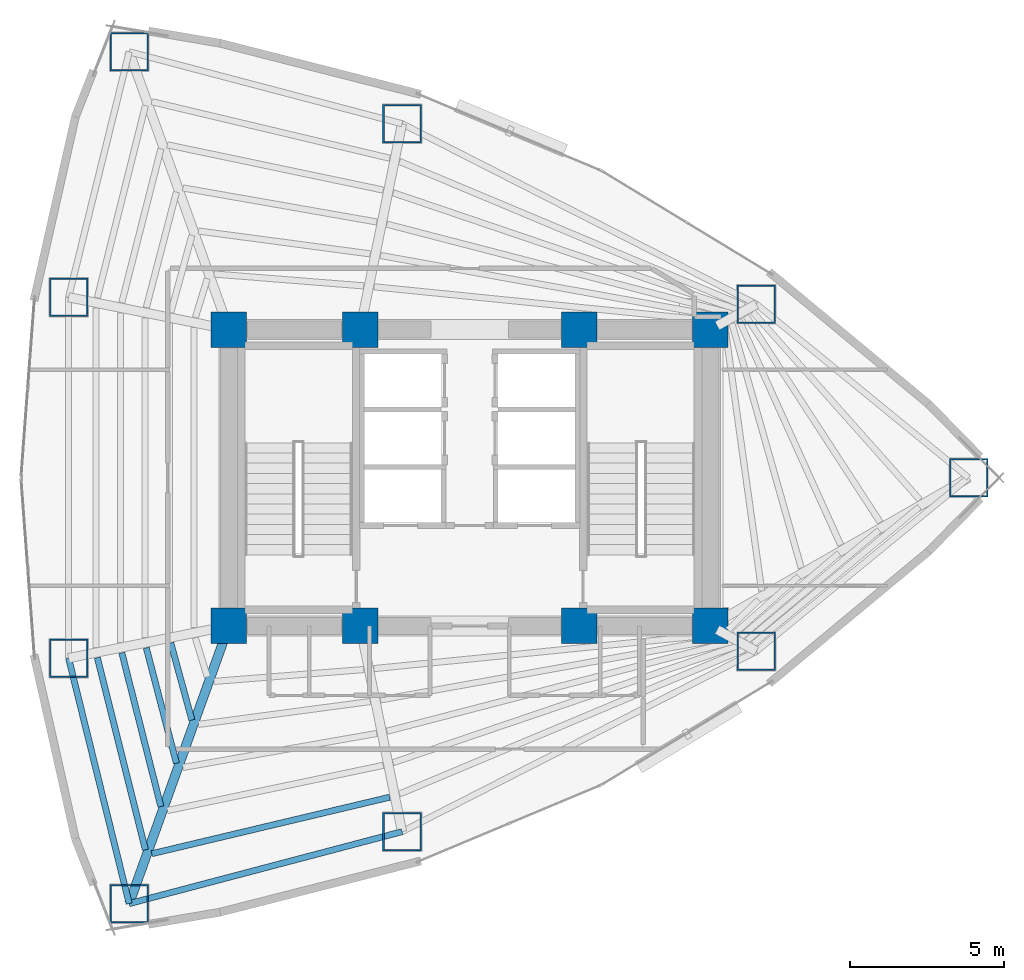
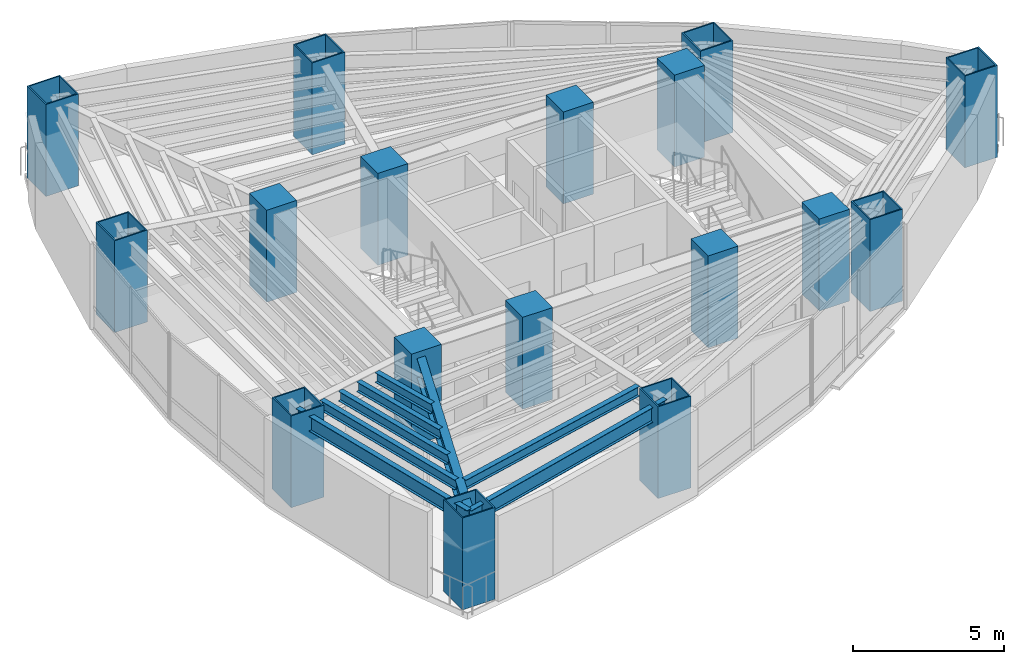
# One storey, part 1 of 18: 17 columns, 8 beams.
"""IFC4 building model written with IfcOpenShell, lengths in metres."""

import ifcopenshell
import ifcopenshell.guid

model = None  # the IFC model being written
_history = None  # IfcOwnerHistory: only IFC2X3 demands one
_inside = {}  # id of a spatial element -> (the spatial element, [elements in it])
_under = {}  # id of a project, library or spatial element -> (it, [spatial elements below it])
_declared = {}  # id of a project -> (the project, [libraries it declares])
_typed = {}  # id of a type object -> (the type object, [elements of that type])
_made_of = {}  # id of a material, layer set ... -> (it, [elements and type objects made of it])


def new_model(schema):
    """Start an empty IFC model of exactly this schema.

    Asked for "IFC4X3", IfcOpenShell would pick the latest addendum, in which some entities
    have other attributes; the version numbers below select the first issue.
    IFC2X3 requires an IfcOwnerHistory on every rooted entity: one is made here for all.
    """
    global model, _history
    if schema == "IFC4X3":
        model = ifcopenshell.file(schema_version=(4, 3, 0, 0))
    else:
        model = ifcopenshell.file(schema=schema)
    _inside.clear()
    _under.clear()
    _declared.clear()
    _typed.clear()
    _made_of.clear()
    _history = None
    if model.schema == "IFC2X3":
        org = make("IfcOrganization", Name="unknown")
        user = make(
            "IfcPersonAndOrganization",
            ThePerson=make("IfcPerson", FamilyName="unknown"),
            TheOrganization=org,
        )
        app = make(
            "IfcApplication",
            ApplicationDeveloper=org,
            Version="unknown",
            ApplicationFullName="unknown",
            ApplicationIdentifier="unknown",
        )
        _history = make(
            "IfcOwnerHistory",
            OwningUser=user,
            OwningApplication=app,
            ChangeAction="ADDED",
            CreationDate=0,
        )
    return model


def make(cls, **values):
    """One entity of the class cls with the attributes given. An attribute that is None is left unset."""
    return model.create_entity(
        cls, **{name: value for name, value in values.items() if value is not None}
    )


def rooted(cls, **values):
    """An entity with a GlobalId (a new one), such as an element, a storey or a relation."""
    return make(cls, GlobalId=ifcopenshell.guid.new(), OwnerHistory=_history, **values)


def si_unit(unit_type, name, prefix=None):
    """IfcSIUnit, for example si_unit("LENGTHUNIT", "METRE", prefix="MILLI")."""
    return make("IfcSIUnit", UnitType=unit_type, Prefix=prefix, Name=name)


def assignment(units):
    """IfcUnitAssignment: the units of a project."""
    return None if units is None else make("IfcUnitAssignment", Units=units)


def point(xyz):
    """IfcCartesianPoint."""
    return None if xyz is None else make("IfcCartesianPoint", Coordinates=xyz)


def direction(xyz):
    """IfcDirection."""
    return None if xyz is None else make("IfcDirection", DirectionRatios=xyz)


def frame(location, z_axis=None, x_axis=None):
    """IfcAxis2Placement3D, a coordinate frame: its origin and axes. An axis left out is left unset."""
    return make(
        "IfcAxis2Placement3D",
        Location=point(location),
        Axis=direction(z_axis),
        RefDirection=direction(x_axis),
    )


def frame_2d(location, x_axis=None):
    """IfcAxis2Placement2D, a coordinate frame in the plane: its origin and x axis."""
    return make(
        "IfcAxis2Placement2D", Location=point(location), RefDirection=direction(x_axis)
    )


def origin():
    """The frame at (0, 0, 0) with its axes left unset."""
    return frame((0.0, 0.0, 0.0))


def origin_2d():
    """The frame at (0, 0) in the plane with its x axis left unset."""
    return frame_2d((0.0, 0.0))


def place(relative_to, where):
    """IfcLocalPlacement: puts the frame where relative to a parent placement (None: the world)."""
    return make(
        "IfcLocalPlacement", PlacementRelTo=relative_to, RelativePlacement=where
    )


def context(
    kind, dimensions, precision=None, world=None, true_north=None, identifier=None
):
    """IfcGeometricRepresentationContext, for example the 3D "Model" context."""
    return make(
        "IfcGeometricRepresentationContext",
        ContextIdentifier=identifier,
        ContextType=kind,
        CoordinateSpaceDimension=dimensions,
        Precision=precision,
        WorldCoordinateSystem=world,
        TrueNorth=true_north,
    )


def subcontext(parent, identifier, kind, view, scale=None):
    """IfcGeometricRepresentationSubContext, for example "Body" below "Model"."""
    return make(
        "IfcGeometricRepresentationSubContext",
        ContextIdentifier=identifier,
        ContextType=kind,
        ParentContext=parent,
        TargetScale=scale,
        TargetView=view,
    )


def project(units=None, contexts=None):
    """IfcProject with its units and contexts."""
    return rooted(
        "IfcProject",
        Name="project",
        RepresentationContexts=contexts,
        UnitsInContext=assignment(units),
    )


def spatial(cls, under=None, at=None, **own):
    """A site, building, storey or space (cls), placed at a placement, below another one or the project."""
    s = rooted(cls, ObjectPlacement=at, **own)
    if under is not None:
        _under.setdefault(under.id(), (under, []))[1].append(s)
    return s


def profile(cls, at=None, kind="AREA", **sizes):
    """A parametric profile (cls). Its sizes go by their IFC names, for example OverallWidth=200.0."""
    return make(cls, ProfileType=kind, Position=at, **sizes)


def rectangle(**sizes):
    """IfcRectangleProfileDef."""
    return profile("IfcRectangleProfileDef", **sizes)


def hollow_rectangle(**sizes):
    """IfcRectangleHollowProfileDef."""
    return profile("IfcRectangleHollowProfileDef", **sizes)


def i_section(**sizes):
    """IfcIShapeProfileDef."""
    return profile("IfcIShapeProfileDef", **sizes)


def extrude(swept, where, along, depth):
    """IfcExtrudedAreaSolid: the profile swept, set in the frame where, extruded along a direction by depth."""
    return make(
        "IfcExtrudedAreaSolid",
        SweptArea=swept,
        Position=where,
        ExtrudedDirection=direction(along),
        Depth=depth,
    )


def shape(context_of_items, identifier, shape_type, items):
    """IfcShapeRepresentation: the items that make up one representation, for example the "Body"."""
    return make(
        "IfcShapeRepresentation",
        ContextOfItems=context_of_items,
        RepresentationIdentifier=identifier,
        RepresentationType=shape_type,
        Items=items,
    )


def material(Name=None, Category=None):
    """IfcMaterial."""
    return make("IfcMaterial", Name=Name, Category=Category)


def material_profile(
    of_material, cross_section, Name=None, Category=None, Priority=None
):
    """IfcMaterialProfile: a cross section and its material."""
    return make(
        "IfcMaterialProfile",
        Name=Name,
        Material=of_material,
        Profile=cross_section,
        Priority=Priority,
        Category=Category,
    )


def profile_set(profiles, Name=None, composite=None):
    """IfcMaterialProfileSet."""
    return make(
        "IfcMaterialProfileSet",
        Name=Name,
        MaterialProfiles=profiles,
        CompositeProfile=composite,
    )


def made_of(thing, what):
    """Note that an element or type object is made of a material, layer set ...; save() writes the relation."""
    if what is not None:
        _made_of.setdefault(what.id(), (what, []))[1].append(thing)
    return thing


def type_object(cls, material=None, **own):
    """A type object (cls), such as IfcWallType, which elements share."""
    return made_of(rooted(cls, **own), material)


def element(
    cls,
    number,
    at=None,
    inside=None,
    cuts=None,
    type_object=None,
    material=None,
    context=None,
    identifier="Body",
    shape_type=None,
    held_by="IfcProductDefinitionShape",
    body=None,
    shapes=None,
    **own,
):
    """One element of the class cls, such as IfcWall. Its Tag is "e" and its number.

    at: its placement. inside: the storey or other place that contains it. cuts: it is an
    opening in that element (IfcRelVoidsElement). A single representation is given by context,
    identifier, shape_type and body (its items); several are given by shapes. held_by: the class
    of the entity that holds the representations. save() writes the other relations.
    """
    e = rooted(cls, Tag="e%d" % number, ObjectPlacement=at, **own)
    if body is not None:
        shapes = [shape(context, identifier, shape_type, body)]
    if shapes is not None:
        e.Representation = make(held_by, Representations=shapes)
    if inside is not None:
        _inside.setdefault(inside.id(), (inside, []))[1].append(e)
    if cuts is not None:
        rooted(
            "IfcRelVoidsElement", RelatingBuildingElement=cuts, RelatedOpeningElement=e
        )
    if type_object is not None:
        _typed.setdefault(type_object.id(), (type_object, []))[1].append(e)
    return made_of(e, material)


def aggregate(whole, parts):
    """IfcRelAggregates: a whole, such as a stair, and the parts it consists of."""
    return rooted("IfcRelAggregates", RelatingObject=whole, RelatedObjects=parts)


def save(model, path):
    """Write the relations noted so far, then the file.

    IfcRelAggregates (storeys below a building ...), IfcRelContainedInSpatialStructure (elements
    in a storey), IfcRelDefinesByType, IfcRelAssociatesMaterial and IfcRelDeclares: one each for
    every whole, place, type object, material and project.
    """
    for whole, parts in _under.values():
        aggregate(whole, parts)
    for where, things in _inside.values():
        rooted(
            "IfcRelContainedInSpatialStructure",
            RelatedElements=things,
            RelatingStructure=where,
        )
    for kind, things in _typed.values():
        rooted("IfcRelDefinesByType", RelatedObjects=things, RelatingType=kind)
    for what, things in _made_of.values():
        rooted("IfcRelAssociatesMaterial", RelatedObjects=things, RelatingMaterial=what)
    for by, libraries in _declared.values():
        rooted("IfcRelDeclares", RelatingContext=by, RelatedDefinitions=libraries)
    model.write(path)


model = new_model("IFC4")

# Units and contexts
model_context = context("Model", 3, precision=1e-05, world=origin(), true_north=direction((0.0, 1.0)))
body_context = subcontext(model_context, "Body", "Model", "MODEL_VIEW")
ifc_project = project(units=[si_unit("LENGTHUNIT", "METRE"), si_unit("AREAUNIT", "SQUARE_METRE"), si_unit("VOLUMEUNIT", "CUBIC_METRE"), si_unit("PLANEANGLEUNIT", "RADIAN"), si_unit("MASSUNIT", "GRAM", prefix="KILO")], contexts=[model_context])

# Site, building, storey
site_placement = place(None, origin())
site = spatial("IfcSite", under=ifc_project, at=site_placement, CompositionType="ELEMENT")
building_placement = place(site_placement, origin())
building = spatial("IfcBuilding", under=site, at=building_placement, Name="Menara Vayukalpa", CompositionType="ELEMENT")
storey_placement = place(building_placement, frame((0.0, 0.0, 92.820068359375)))
storey = spatial("IfcBuildingStorey", under=building, at=storey_placement, Name="L22", CompositionType="ELEMENT", Elevation=92.820068359375)

# Columns
ifc_material_1 = material(Name="Concrete C80/95", Category="concrete")
ifc_material_profile_1 = material_profile(ifc_material_1, rectangle(XDim=1.14990234375, YDim=1.14990234375, at=origin_2d()), Name="RC 1150x1150")
ifc_profile_set_1 = profile_set([ifc_material_profile_1], Name="Concrete C80/95")
column_type_1 = type_object("IfcColumnType", Name="COL-CC1", PredefinedType="COLUMN", material=ifc_profile_set_1)
for number, where, z_axis, x_axis, name in (
    (1, (17.800048828125, 17.199951171875, 0.0), (0.0, 0.0, 1.0), (1.0, 0.0, 0.0), "L22 Core Pilaster Column CC1"),
    (2, (22.050048828125, 17.199951171875, 0.0), (0.0, 0.0, 1.0), (1.0, 0.0, 0.0), "L22 Core Pilaster Column CC2"),
    (3, (29.14990234375, 17.199951171875, 0.0), (0.0, 0.0, 1.0), (1.0, 0.0, 0.0), "L22 Core Pilaster Column CC3"),
    (4, (33.39990234375, 17.199951171875, 0.0), (0.0, 0.0, 1.0), (1.0, 0.0, 0.0), "L22 Core Pilaster Column CC4"),
    (5, (17.800048828125, 26.800048828125, 0.0), (0.0, 0.0, 1.0), (1.0, 0.0, 0.0), "L22 Core Pilaster Column CC5"),
    (6, (22.050048828125, 26.800048828125, 0.0), (0.0, 0.0, 1.0), (1.0, 0.0, 0.0), "L22 Core Pilaster Column CC6"),
    (7, (29.14990234375, 26.800048828125, 0.0), (0.0, 0.0, 1.0), (1.0, 0.0, 0.0), "L22 Core Pilaster Column CC7"),
    (8, (33.39990234375, 26.800048828125, 0.0), (0.0, 0.0, 1.0), (1.0, 0.0, 0.0), "L22 Core Pilaster Column CC8"),
):
    element("IfcColumn", number, at=place(storey_placement, frame(where, z_axis=z_axis, x_axis=x_axis)), inside=storey, type_object=column_type_1, Name=name, PredefinedType="COLUMN", context=body_context, shape_type="SweptSolid", body=[
        extrude(rectangle(XDim=1.14990234375, YDim=1.14990234375, at=origin_2d()), origin(), (0.0, 0.0, 1.0), 3.719970703125),
    ])
ifc_material_2 = material(Name="Steel S460", Category="steel")
ifc_material_profile_2 = material_profile(ifc_material_2, hollow_rectangle(XDim=1.25, YDim=1.25, WallThickness=0.050048828125, at=origin_2d()), Name="BOX 1250x1250x50")
ifc_profile_set_2 = profile_set([ifc_material_profile_2], Name="Steel S460")
column_type_2 = type_object("IfcColumnType", Name="COL-MC2", PredefinedType="COLUMN", material=ifc_profile_set_2)
for number, where, z_axis, x_axis, name in (
    (9, (41.761962890625, 22.0, 0.0), (0.0, 0.0, 1.0), (1.0, 0.0, 0.0), "L22 Perimeter Mega Column P01"),
    (10, (34.88671875, 27.62158203125, 0.0), (0.0, 0.0, 1.0), (1.0, 0.0, 0.0), "L22 Perimeter Mega Column P02"),
    (11, (23.408203125, 33.46728515625, 0.0), (0.0, 0.0, 1.0), (1.0, 0.0, 0.0), "L22 Perimeter Mega Column P03"),
    (12, (14.569091796875, 35.79736328125, 0.0), (0.0, 0.0, 1.0), (1.0, 0.0, 0.0), "L22 Perimeter Mega Column P04"),
    (13, (12.606689453125, 27.845703125, 0.0), (0.0, 0.0, 1.0), (1.0, 0.0, 0.0), "L22 Perimeter Mega Column P05"),
    (14, (12.606689453125, 16.154296875, 0.0), (0.0, 0.0, 1.0), (1.0, 0.0, 0.0), "L22 Perimeter Mega Column P06"),
    (15, (14.569091796875, 8.20263671875, 0.0), (0.0, 0.0, 1.0), (1.0, 0.0, 0.0), "L22 Perimeter Mega Column P07"),
    (16, (23.408203125, 10.53271484375, 0.0), (0.0, 0.0, 1.0), (1.0, 0.0, 0.0), "L22 Perimeter Mega Column P08"),
    (17, (34.88671875, 16.37841796875, 0.0), (0.0, 0.0, 1.0), (1.0, 0.0, 0.0), "L22 Perimeter Mega Column P09"),
):
    element("IfcColumn", number, at=place(storey_placement, frame(where, z_axis=z_axis, x_axis=x_axis)), inside=storey, type_object=column_type_2, Name=name, PredefinedType="COLUMN", context=body_context, shape_type="SweptSolid", body=[
        extrude(hollow_rectangle(XDim=1.25, YDim=1.25, WallThickness=0.050048828125, at=origin_2d()), origin(), (0.0, 0.0, 1.0), 3.719970703125),
    ])

# Beams
ifc_material_3 = material(Name="Steel S355", Category="steel")
ifc_material_profile_3 = material_profile(ifc_material_3, i_section(OverallWidth=0.300048828125, OverallDepth=0.800048828125, WebThickness=0.013916015625, FlangeThickness=0.02587890625, at=origin_2d()), Name="WF 800x300x14x26")
ifc_profile_set_3 = profile_set([ifc_material_profile_3], Name="Steel S355")
beam_type_1 = type_object("IfcBeamType", Name="BM-PG3", PredefinedType="BEAM", material=ifc_profile_set_3)
beam_1_placement = place(storey_placement, frame((17.715576171875, 16.964599609375, 3.06982421875), z_axis=(-0.337975542909, -0.941154892882, 0.0), x_axis=(0.941154892882, -0.337975542909, 0.0)))
element("IfcBeam", 18, at=beam_1_placement, inside=storey, type_object=beam_type_1, Name="L22 Primary Radial Girder RG07", PredefinedType="BEAM", context=body_context, shape_type="SweptSolid", body=[
    extrude(i_section(OverallWidth=0.300048828125, OverallDepth=0.800048828125, WebThickness=0.013916015625, FlangeThickness=0.02587890625, at=origin_2d()), origin(), (0.0, 0.0, 1.0), 9.309814453125),
])
ifc_material_4 = material(Name="Steel S355", Category="steel")
ifc_material_profile_4 = material_profile(ifc_material_4, i_section(OverallWidth=0.199951171875, OverallDepth=0.39990234375, WebThickness=0.008056640625, FlangeThickness=0.012939453125, at=origin_2d()), Name="WF 400x200x8x13")
ifc_profile_set_4 = profile_set([ifc_material_profile_4], Name="Steel S355")
beam_type_2 = type_object("IfcBeamType", Name="BM-SJ2", PredefinedType="JOIST", material=ifc_profile_set_4)
beam_2_placement = place(storey_placement, frame((15.917236328125, 16.64794921875, 3.27001953125), z_axis=(0.263922858843, -0.964543790908, 0.0), x_axis=(0.964543790908, 0.263922858843, 0.0)))
element("IfcBeam", 19, at=beam_2_placement, inside=storey, type_object=beam_type_2, Name="L22 Secondary Floor Joist SJ06-2", PredefinedType="JOIST", context=body_context, shape_type="SweptSolid", body=[
    extrude(i_section(OverallWidth=0.199951171875, OverallDepth=0.39990234375, WebThickness=0.008056640625, FlangeThickness=0.012939453125, at=origin_2d()), origin(), (0.0, 0.0, 1.0), 2.590087890625),
])
beam_3_placement = place(storey_placement, frame((15.123779296875, 16.488037109375, 3.27001953125), z_axis=(0.252406469257, -0.967621296933, 0.0), x_axis=(0.967621296933, 0.252406469257, 0.0)))
element("IfcBeam", 20, at=beam_3_placement, inside=storey, type_object=beam_type_2, Name="L22 Secondary Floor Joist SJ06-3", PredefinedType="JOIST", context=body_context, shape_type="SweptSolid", body=[
    extrude(i_section(OverallWidth=0.199951171875, OverallDepth=0.39990234375, WebThickness=0.008056640625, FlangeThickness=0.012939453125, at=origin_2d()), origin(), (0.0, 0.0, 1.0), 3.865234375),
])
beam_4_placement = place(storey_placement, frame((14.330810546875, 16.328369140625, 3.27001953125), z_axis=(0.246311066692, -0.969190826631, 0.0), x_axis=(0.969190826631, 0.246311066692, 0.0)))
element("IfcBeam", 21, at=beam_4_placement, inside=storey, type_object=beam_type_2, Name="L22 Secondary Floor Joist SJ06-4", PredefinedType="JOIST", context=body_context, shape_type="SweptSolid", body=[
    extrude(i_section(OverallWidth=0.199951171875, OverallDepth=0.39990234375, WebThickness=0.008056640625, FlangeThickness=0.012939453125, at=origin_2d()), origin(), (0.0, 0.0, 1.0), 5.140380859375),
])
beam_5_placement = place(storey_placement, frame((13.53857421875, 16.168701171875, 3.27001953125), z_axis=(0.242481900969, -0.970155929582, 0.0), x_axis=(0.970155929582, 0.242481900969, 0.0)))
element("IfcBeam", 22, at=beam_5_placement, inside=storey, type_object=beam_type_2, Name="L22 Secondary Floor Joist SJ06-5", PredefinedType="JOIST", context=body_context, shape_type="SweptSolid", body=[
    extrude(i_section(OverallWidth=0.199951171875, OverallDepth=0.39990234375, WebThickness=0.008056640625, FlangeThickness=0.012939453125, at=origin_2d()), origin(), (0.0, 0.0, 1.0), 6.41552734375),
])
beam_6_placement = place(storey_placement, frame((15.30078125, 9.819091796875, 3.27001953125), z_axis=(0.97293603101, 0.231074619036, 0.0), x_axis=(-0.231074619036, 0.97293603101, 0.0)))
element("IfcBeam", 23, at=beam_6_placement, inside=storey, type_object=beam_type_2, Name="L22 Secondary Floor Joist SJ07-5", PredefinedType="JOIST", context=body_context, shape_type="SweptSolid", body=[
    extrude(i_section(OverallWidth=0.199951171875, OverallDepth=0.39990234375, WebThickness=0.008056640625, FlangeThickness=0.012939453125, at=origin_2d()), origin(), (0.0, 0.0, 1.0), 7.9208984375),
])
ifc_material_5 = material(Name="Steel S355", Category="steel")
ifc_material_profile_5 = material_profile(ifc_material_5, i_section(OverallWidth=0.199951171875, OverallDepth=0.60009765625, WebThickness=0.010986328125, FlangeThickness=0.01708984375, at=origin_2d()), Name="WF 600x200x11x17")
ifc_profile_set_5 = profile_set([ifc_material_profile_5], Name="Steel S355")
beam_type_3 = type_object("IfcBeamType", Name="BM-SP1", PredefinedType="SPANDREL", material=ifc_profile_set_5)
beam_7_placement = place(storey_placement, frame((12.606689453125, 16.154296875, 3.169921875), z_axis=(0.239602739234, -0.970871014786, 0.0), x_axis=(0.970871014786, 0.239602739234, 0.0)))
element("IfcBeam", 24, at=beam_7_placement, inside=storey, type_object=beam_type_3, Name="L22 Perimeter Spandrel Beam SP06", PredefinedType="SPANDREL", context=body_context, shape_type="SweptSolid", body=[
    extrude(i_section(OverallWidth=0.199951171875, OverallDepth=0.60009765625, WebThickness=0.010986328125, FlangeThickness=0.01708984375, at=origin_2d()), origin(), (0.0, 0.0, 1.0), 8.190185546875),
])
beam_8_placement = place(storey_placement, frame((14.569091796875, 8.20263671875, 3.169921875), z_axis=(0.966966857313, 0.254902131921, 0.0), x_axis=(-0.254902131921, 0.966966857313, 0.0)))
element("IfcBeam", 25, at=beam_8_placement, inside=storey, type_object=beam_type_3, Name="L22 Perimeter Spandrel Beam SP07", PredefinedType="SPANDREL", context=body_context, shape_type="SweptSolid", body=[
    extrude(i_section(OverallWidth=0.199951171875, OverallDepth=0.60009765625, WebThickness=0.010986328125, FlangeThickness=0.01708984375, at=origin_2d()), origin(), (0.0, 0.0, 1.0), 9.14111328125),
])

save(model, "model.ifc")
